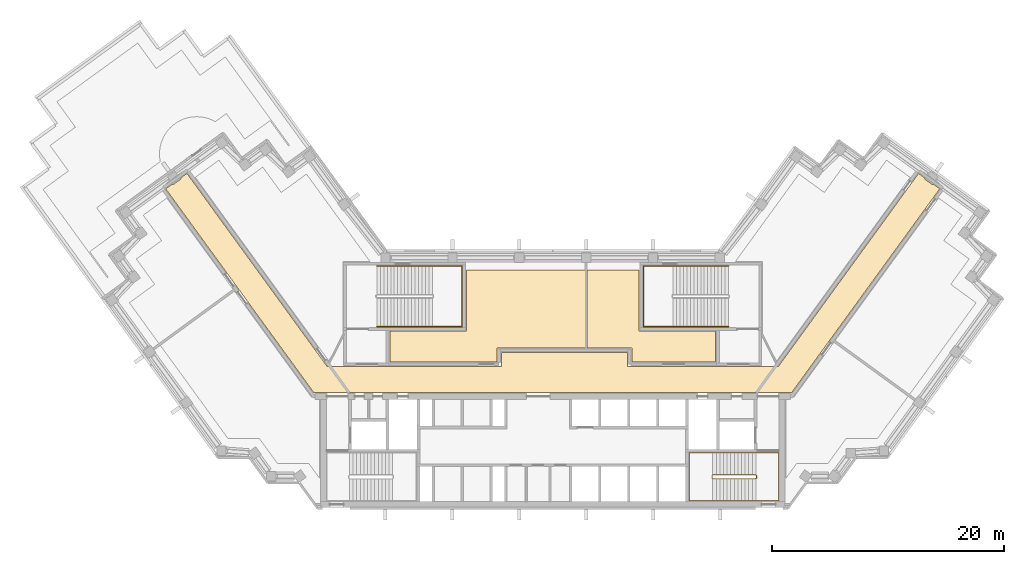
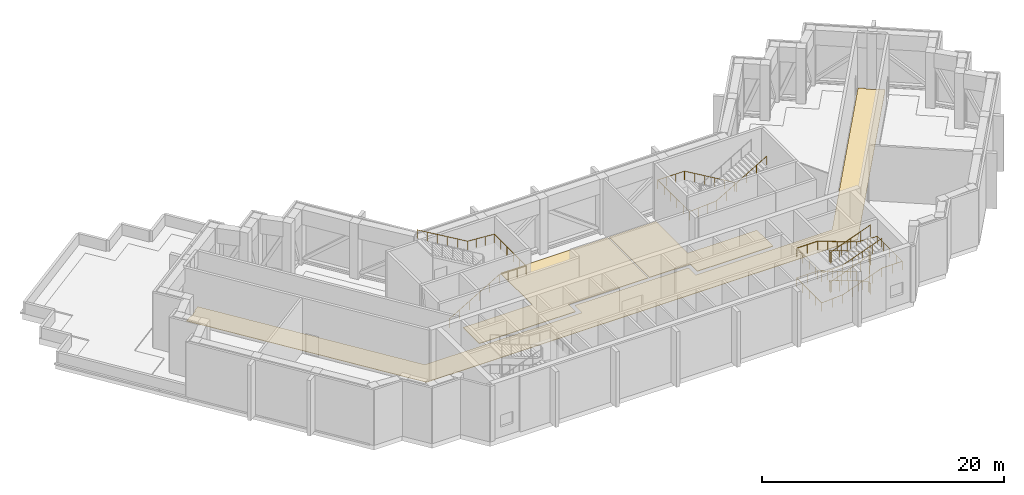
# One storey, part 14 of 15: 4 railings, 3 coverings.
"""IFC4 building model written with IfcOpenShell, lengths in metres."""

from ifc_helpers import new_model, si_unit, direction, frame, origin, origin_2d, place, context, subcontext, project, spatial, polyline, circle, outline, extrude, material, layer, layer_set, type_object, element, save


model = new_model("IFC4")

# Units and contexts
model_context = context("Model", 3, precision=1e-05, world=origin(), true_north=direction((0.0, 1.0)))
body_context = subcontext(model_context, "Body", "Model", "MODEL_VIEW")
ifc_project = project(units=[si_unit("LENGTHUNIT", "METRE"), si_unit("AREAUNIT", "SQUARE_METRE"), si_unit("VOLUMEUNIT", "CUBIC_METRE"), si_unit("PLANEANGLEUNIT", "RADIAN"), si_unit("MASSUNIT", "GRAM", prefix="KILO")], contexts=[model_context])

# Site, building, storey
site_placement = place(None, origin())
site = spatial("IfcSite", under=ifc_project, at=site_placement, CompositionType="ELEMENT")
building_placement = place(site_placement, origin())
building = spatial("IfcBuilding", under=site, at=building_placement, Name="Quipu Civic Tower", CompositionType="ELEMENT")
storey_placement = place(building_placement, frame((0.0, 0.0, 242.0)))
storey = spatial("IfcBuildingStorey", under=building, at=storey_placement, Name="L57", CompositionType="ELEMENT", Elevation=242.0)

# Coverings
ifc_material_1 = material(Name="Sealed cement screed")
ifc_layer_1 = layer(ifc_material_1, 0.050048828125)
ifc_layer_set_1 = layer_set([ifc_layer_1], Name="Sealed cement screed")
covering_type_1 = type_object("IfcCoveringType", Name="Sealed screed floor finish 50", PredefinedType="FLOORING", material=ifc_layer_set_1)
covering_1_placement = place(storey_placement, origin())
element("IfcCovering", 1, at=covering_1_placement, inside=storey, type_object=covering_type_1, Name="Sealed screed floor finish 50", PredefinedType="FLOORING", context=body_context, shape_type="SweptSolid", body=[
    extrude(outline(polyline([(-14.030029296875, 4.179931640625), (-7.430908203125, 4.179931640625), (-7.429931640625, 9.429931640625), (2.80908203125, 9.429931640625), (2.80908203125, 2.719970703125), (-4.818115234375, 2.719970703125), (-4.820068359375, 1.52001953125), (-14.030029296875, 1.52001953125), (-14.030029296875, 4.179931640625)])), origin(), (0.0, 0.0, 1.0), 0.050048828125),
])
covering_2_placement = place(storey_placement, origin())
element("IfcCovering", 2, at=covering_2_placement, inside=storey, type_object=covering_type_1, Name="Sealed screed floor finish 50", PredefinedType="FLOORING", context=body_context, shape_type="SweptSolid", body=[
    extrude(outline(polyline([(2.948974609375, 2.719970703125), (2.948974609375, 9.429931640625), (7.429931640625, 9.429931640625), (7.430908203125, 4.179931640625), (14.030029296875, 4.179931640625), (14.030029296875, 1.52001953125), (6.820068359375, 1.52001953125), (6.819091796875, 2.719970703125), (2.948974609375, 2.719970703125)])), origin(), (0.0, 0.0, 1.0), 0.050048828125),
])

# Railings
ifc_material_2 = material(Name="Stainless steel", Category="steel")
railing_type_1 = type_object("IfcRailingType", Name="Stair guard 1100", PredefinedType="GUARDRAIL", material=ifc_material_2)
railing_1_placement = place(storey_placement, frame((17.5, -8.199951171875, 0.115478515625)))
element("IfcRailing", 3, at=railing_1_placement, inside=storey, type_object=railing_type_1, Name="Stair 2 guard", PredefinedType="GUARDRAIL", context=body_context, shape_type="SweptSolid", body=[
    extrude(circle(Radius=0.02392578125, at=origin_2d()), frame((0.0, 0.0, 1.076171875), z_axis=(-0.937193329374, 0.0, 0.348810354458), x_axis=(0.0, -1.0, 0.0)), (0.0, 0.0, 1.0), 3.96923828125),
    extrude(circle(Radius=0.02392578125, at=origin_2d()), frame((-3.719970703125, 0.0, 2.46044921875), z_axis=(-0.707106781187, -0.707106781187, 0.0), x_axis=(0.707106781187, -0.707106781187, 0.0)), (0.0, 0.0, 1.0), 0.07080078125),
    extrude(circle(Radius=0.02392578125, at=origin_2d()), frame((-3.77001953125, -0.050048828125, 2.46044921875), z_axis=(0.0, -1.0, 0.0), x_axis=(1.0, 0.0, 0.0)), (0.0, 0.0, 1.0), 0.25),
    extrude(circle(Radius=0.02392578125, at=origin_2d()), frame((-3.77001953125, -0.300048828125, 2.46044921875), z_axis=(0.3695169537, -0.3695169537, 0.852592776099), x_axis=(0.707106781187, 0.707106781187, 0.0)), (0.0, 0.0, 1.0), 0.135498046875),
    extrude(circle(Radius=0.02392578125, at=origin_2d()), frame((-3.719970703125, -0.35009765625, 2.576171875), z_axis=(0.937193329374, 0.0, 0.348810354458), x_axis=(0.0, 1.0, 0.0)), (0.0, 0.0, 1.0), 3.96923828125),
    extrude(circle(Radius=0.02392578125, at=origin_2d()), frame((0.0, -0.35009765625, 3.96044921875), z_axis=(0.164529134168, 0.986372223864, 0.0), x_axis=(-0.986372223864, 0.164529134168, 0.0)), (0.0, 0.0, 1.0), 0.30419921875),
    extrude(circle(Radius=0.02392578125, at=origin_2d()), frame((0.050048828125, -0.050048828125, 3.96044921875), z_axis=(0.0, -1.0, 0.0), x_axis=(1.0, 0.0, 0.0)), (0.0, 0.0, 1.0), 0.25),
    extrude(circle(Radius=0.02392578125, at=origin_2d()), frame((0.050048828125, -0.300048828125, 3.96044921875), z_axis=(-0.153818488509, 0.922160596963, 0.354908024706), x_axis=(-0.986372223864, -0.164529134168, 0.0)), (0.0, 0.0, 1.0), 0.325439453125),
    extrude(circle(Radius=0.02392578125, at=origin_2d()), frame((0.0, 0.0, 4.076171875), z_axis=(-0.937193329374, 0.0, 0.348810354458), x_axis=(0.0, -1.0, 0.0)), (0.0, 0.0, 1.0), 3.96923828125),
    extrude(circle(Radius=0.02392578125, at=origin_2d()), frame((-3.719970703125, 0.0, 5.46044921875), z_axis=(-0.707106781187, -0.707106781187, 0.0), x_axis=(0.707106781187, -0.707106781187, 0.0)), (0.0, 0.0, 1.0), 0.07080078125),
    extrude(circle(Radius=0.02392578125, at=origin_2d()), frame((-3.77001953125, -0.050048828125, 5.46044921875), z_axis=(0.0, -1.0, 0.0), x_axis=(1.0, 0.0, 0.0)), (0.0, 0.0, 1.0), 0.25),
    extrude(circle(Radius=0.02392578125, at=origin_2d()), frame((-3.77001953125, -0.300048828125, 5.46044921875), z_axis=(0.3695169537, -0.3695169537, 0.852592776099), x_axis=(0.707106781187, 0.707106781187, 0.0)), (0.0, 0.0, 1.0), 0.135498046875),
    extrude(circle(Radius=0.02392578125, at=origin_2d()), frame((-3.719970703125, -0.35009765625, 5.576171875), z_axis=(0.937193329374, 0.0, 0.348810354458), x_axis=(0.0, 1.0, 0.0)), (0.0, 0.0, 1.0), 3.96923828125),
    extrude(circle(Radius=0.02392578125, at=origin_2d()), frame((0.0, -0.35009765625, 6.96044921875), z_axis=(0.008330771543, 0.049943991347, -0.998717275296), x_axis=(-0.986372223864, 0.164529134168, 0.0)), (0.0, 0.0, 1.0), 6.0078125),
    extrude(circle(Radius=0.02392578125, at=origin_2d()), frame((0.050048828125, -0.050048828125, 0.96044921875), z_axis=(0.0, -1.0, 0.0), x_axis=(1.0, 0.0, 0.0)), (0.0, 0.0, 1.0), 0.25),
    extrude(circle(Radius=0.02099609375, at=origin_2d()), origin(), (0.0, 0.0, 1.0), 1.052001953125),
    extrude(circle(Radius=0.02099609375, at=origin_2d()), frame((-0.929931640625, 0.0, 0.34619140625)), (0.0, 0.0, 1.0), 1.052001953125),
    extrude(circle(Radius=0.02099609375, at=origin_2d()), frame((-1.85986328125, 0.0, 0.6923828125)), (0.0, 0.0, 1.0), 1.052001953125),
    extrude(circle(Radius=0.02099609375, at=origin_2d()), frame((-2.7900390625, 0.0, 1.038330078125)), (0.0, 0.0, 1.0), 1.052001953125),
    extrude(circle(Radius=0.02099609375, at=origin_2d()), frame((-3.719970703125, 0.0, 1.384521484375)), (0.0, 0.0, 1.0), 1.052001953125),
    extrude(circle(Radius=0.02099609375, at=origin_2d()), frame((-3.77001953125, -0.050048828125, 1.384521484375)), (0.0, 0.0, 1.0), 1.052001953125),
    extrude(circle(Radius=0.02099609375, at=origin_2d()), frame((-3.77001953125, -0.300048828125, 1.384521484375)), (0.0, 0.0, 1.0), 1.052001953125),
    extrude(circle(Radius=0.02099609375, at=origin_2d()), frame((-3.719970703125, -0.35009765625, 1.5)), (0.0, 0.0, 1.0), 1.052001953125),
    extrude(circle(Radius=0.02099609375, at=origin_2d()), frame((-2.7900390625, -0.35009765625, 1.84619140625)), (0.0, 0.0, 1.0), 1.052001953125),
    extrude(circle(Radius=0.02099609375, at=origin_2d()), frame((-1.85986328125, -0.35009765625, 2.1923828125)), (0.0, 0.0, 1.0), 1.052001953125),
    extrude(circle(Radius=0.02099609375, at=origin_2d()), frame((-0.929931640625, -0.35009765625, 2.538330078125)), (0.0, 0.0, 1.0), 1.052001953125),
    extrude(circle(Radius=0.02099609375, at=origin_2d()), frame((0.0, -0.35009765625, 2.884521484375)), (0.0, 0.0, 1.0), 1.052001953125),
    extrude(circle(Radius=0.02099609375, at=origin_2d()), frame((0.050048828125, -0.050048828125, 2.884521484375)), (0.0, 0.0, 1.0), 1.052001953125),
    extrude(circle(Radius=0.02099609375, at=origin_2d()), frame((0.050048828125, -0.300048828125, 2.884521484375)), (0.0, 0.0, 1.0), 1.052001953125),
    extrude(circle(Radius=0.02099609375, at=origin_2d()), frame((0.0, 0.0, 3.0)), (0.0, 0.0, 1.0), 1.052001953125),
    extrude(circle(Radius=0.02099609375, at=origin_2d()), frame((-0.929931640625, 0.0, 3.34619140625)), (0.0, 0.0, 1.0), 1.052001953125),
    extrude(circle(Radius=0.02099609375, at=origin_2d()), frame((-1.85986328125, 0.0, 3.6923828125)), (0.0, 0.0, 1.0), 1.052001953125),
    extrude(circle(Radius=0.02099609375, at=origin_2d()), frame((-2.7900390625, 0.0, 4.038330078125)), (0.0, 0.0, 1.0), 1.052001953125),
    extrude(circle(Radius=0.02099609375, at=origin_2d()), frame((-3.719970703125, 0.0, 4.384521484375)), (0.0, 0.0, 1.0), 1.052001953125),
    extrude(circle(Radius=0.02099609375, at=origin_2d()), frame((-3.77001953125, -0.050048828125, 4.384521484375)), (0.0, 0.0, 1.0), 1.052001953125),
    extrude(circle(Radius=0.02099609375, at=origin_2d()), frame((-3.77001953125, -0.300048828125, 4.384521484375)), (0.0, 0.0, 1.0), 1.052001953125),
    extrude(circle(Radius=0.02099609375, at=origin_2d()), frame((-3.719970703125, -0.35009765625, 4.5)), (0.0, 0.0, 1.0), 1.052001953125),
    extrude(circle(Radius=0.02099609375, at=origin_2d()), frame((-2.7900390625, -0.35009765625, 4.84619140625)), (0.0, 0.0, 1.0), 1.052001953125),
    extrude(circle(Radius=0.02099609375, at=origin_2d()), frame((-1.85986328125, -0.35009765625, 5.1923828125)), (0.0, 0.0, 1.0), 1.052001953125),
    extrude(circle(Radius=0.02099609375, at=origin_2d()), frame((-0.929931640625, -0.35009765625, 5.538330078125)), (0.0, 0.0, 1.0), 1.052001953125),
    extrude(circle(Radius=0.02099609375, at=origin_2d()), frame((0.0, -0.35009765625, 5.884521484375)), (0.0, 0.0, 1.0), 1.052001953125),
    extrude(circle(Radius=0.02099609375, at=origin_2d()), frame((0.00830078125, -0.300048828125, 4.884521484375)), (0.0, 0.0, 1.0), 1.052001953125),
    extrude(circle(Radius=0.02099609375, at=origin_2d()), frame((0.0166015625, -0.25, 3.884521484375)), (0.0, 0.0, 1.0), 1.052001953125),
    extrude(circle(Radius=0.02099609375, at=origin_2d()), frame((0.02490234375, -0.2001953125, 2.884521484375)), (0.0, 0.0, 1.0), 1.052001953125),
    extrude(circle(Radius=0.02099609375, at=origin_2d()), frame((0.033447265625, -0.150146484375, 1.884521484375)), (0.0, 0.0, 1.0), 1.052001953125),
    extrude(circle(Radius=0.02099609375, at=origin_2d()), frame((0.041748046875, -0.10009765625, 0.884521484375)), (0.0, 0.0, 1.0), 1.052001953125),
    extrude(circle(Radius=0.02099609375, at=origin_2d()), frame((0.050048828125, -0.050048828125, -0.115478515625)), (0.0, 0.0, 1.0), 1.052001953125),
    extrude(circle(Radius=0.02099609375, at=origin_2d()), frame((0.050048828125, -0.300048828125, -0.115478515625)), (0.0, 0.0, 1.0), 1.052001953125),
])
ifc_material_3 = material(Name="Stainless steel", Category="steel")
railing_type_2 = type_object("IfcRailingType", Name="Stair handrail", PredefinedType="HANDRAIL", material=ifc_material_3)
railing_2_placement = place(storey_placement, frame((17.5, -6.300048828125, 0.115478515625)))
element("IfcRailing", 4, at=railing_2_placement, inside=storey, type_object=railing_type_2, Name="Stair 2 handrail", PredefinedType="HANDRAIL", context=body_context, shape_type="SweptSolid", body=[
    extrude(circle(Radius=0.02392578125, at=origin_2d()), frame((0.0, 0.0, 0.8759765625), z_axis=(-0.937193329374, 0.0, 0.348810354458), x_axis=(0.0, -1.0, 0.0)), (0.0, 0.0, 1.0), 3.96923828125),
    extrude(circle(Radius=0.02392578125, at=origin_2d()), frame((-3.719970703125, 0.0, 2.26025390625), z_axis=(-1.0, 0.0, 0.0), x_axis=(0.0, -1.0, 0.0)), (0.0, 0.0, 1.0), 2.030029296875),
    extrude(circle(Radius=0.02392578125, at=origin_2d()), frame((-5.75, 0.0, 2.26025390625), z_axis=(0.0, -1.0, 0.0), x_axis=(1.0, 0.0, 0.0)), (0.0, 0.0, 1.0), 4.14990234375),
    extrude(circle(Radius=0.02392578125, at=origin_2d()), frame((-5.75, -4.14990234375, 2.26025390625), z_axis=(0.99838595614, 0.0, 0.056793332201), x_axis=(0.0, 1.0, 0.0)), (0.0, 0.0, 1.0), 2.033203125),
    extrude(circle(Radius=0.02392578125, at=origin_2d()), frame((-3.719970703125, -4.14990234375, 2.3759765625), z_axis=(0.937193329374, 0.0, 0.348810354458), x_axis=(0.0, 1.0, 0.0)), (0.0, 0.0, 1.0), 3.96923828125),
    extrude(circle(Radius=0.02392578125, at=origin_2d()), frame((0.0, -4.14990234375, 3.76025390625), z_axis=(1.0, 0.0, 0.0), x_axis=(0.0, 1.0, 0.0)), (0.0, 0.0, 1.0), 1.949951171875),
    extrude(circle(Radius=0.02392578125, at=origin_2d()), frame((1.949951171875, -4.14990234375, 3.76025390625), z_axis=(0.0, 1.0, 0.0), x_axis=(-1.0, 0.0, 0.0)), (0.0, 0.0, 1.0), 4.14990234375),
    extrude(circle(Radius=0.02392578125, at=origin_2d()), frame((1.949951171875, 0.0, 3.76025390625), z_axis=(-0.998251021802, 0.0, 0.059117657858), x_axis=(0.0, -1.0, 0.0)), (0.0, 0.0, 1.0), 1.953369140625),
    extrude(circle(Radius=0.02392578125, at=origin_2d()), frame((0.0, 0.0, 3.8759765625), z_axis=(-0.937193329374, 0.0, 0.348810354458), x_axis=(0.0, -1.0, 0.0)), (0.0, 0.0, 1.0), 3.96923828125),
    extrude(circle(Radius=0.02392578125, at=origin_2d()), frame((-3.719970703125, 0.0, 5.26025390625), z_axis=(-1.0, 0.0, 0.0), x_axis=(0.0, -1.0, 0.0)), (0.0, 0.0, 1.0), 2.030029296875),
    extrude(circle(Radius=0.02392578125, at=origin_2d()), frame((-5.75, 0.0, 5.26025390625), z_axis=(0.0, -1.0, 0.0), x_axis=(1.0, 0.0, 0.0)), (0.0, 0.0, 1.0), 4.14990234375),
    extrude(circle(Radius=0.02392578125, at=origin_2d()), frame((-5.75, -4.14990234375, 5.26025390625), z_axis=(0.99838595614, 0.0, 0.056793332201), x_axis=(0.0, 1.0, 0.0)), (0.0, 0.0, 1.0), 2.033203125),
    extrude(circle(Radius=0.02392578125, at=origin_2d()), frame((-3.719970703125, -4.14990234375, 5.3759765625), z_axis=(0.937193329374, 0.0, 0.348810354458), x_axis=(0.0, 1.0, 0.0)), (0.0, 0.0, 1.0), 3.96923828125),
    extrude(circle(Radius=0.02099609375, at=origin_2d()), origin(), (0.0, 0.0, 1.0), 0.851806640625),
    extrude(circle(Radius=0.02099609375, at=origin_2d()), frame((-0.929931640625, 0.0, 0.34619140625)), (0.0, 0.0, 1.0), 0.851806640625),
    extrude(circle(Radius=0.02099609375, at=origin_2d()), frame((-1.85986328125, 0.0, 0.6923828125)), (0.0, 0.0, 1.0), 0.851806640625),
    extrude(circle(Radius=0.02099609375, at=origin_2d()), frame((-2.7900390625, 0.0, 1.038330078125)), (0.0, 0.0, 1.0), 0.851806640625),
    extrude(circle(Radius=0.02099609375, at=origin_2d()), frame((-3.719970703125, 0.0, 1.384521484375)), (0.0, 0.0, 1.0), 0.851806640625),
    extrude(circle(Radius=0.02099609375, at=origin_2d()), frame((-4.73486328125, 0.0, 1.384521484375)), (0.0, 0.0, 1.0), 0.851806640625),
    extrude(circle(Radius=0.02099609375, at=origin_2d()), frame((-5.75, 0.0, 1.384521484375)), (0.0, 0.0, 1.0), 0.851806640625),
    extrude(circle(Radius=0.02099609375, at=origin_2d()), frame((-5.75, -1.03759765625, 1.384521484375)), (0.0, 0.0, 1.0), 0.851806640625),
    extrude(circle(Radius=0.02099609375, at=origin_2d()), frame((-5.75, -2.074951171875, 1.384521484375)), (0.0, 0.0, 1.0), 0.851806640625),
    extrude(circle(Radius=0.02099609375, at=origin_2d()), frame((-5.75, -3.1123046875, 1.384521484375)), (0.0, 0.0, 1.0), 0.851806640625),
    extrude(circle(Radius=0.02099609375, at=origin_2d()), frame((-5.75, -4.14990234375, 1.384521484375)), (0.0, 0.0, 1.0), 0.851806640625),
    extrude(circle(Radius=0.02099609375, at=origin_2d()), frame((-4.73486328125, -4.14990234375, 1.4423828125)), (0.0, 0.0, 1.0), 0.851806640625),
    extrude(circle(Radius=0.02099609375, at=origin_2d()), frame((-3.719970703125, -4.14990234375, 1.5)), (0.0, 0.0, 1.0), 0.851806640625),
    extrude(circle(Radius=0.02099609375, at=origin_2d()), frame((-2.7900390625, -4.14990234375, 1.84619140625)), (0.0, 0.0, 1.0), 0.851806640625),
    extrude(circle(Radius=0.02099609375, at=origin_2d()), frame((-1.85986328125, -4.14990234375, 2.1923828125)), (0.0, 0.0, 1.0), 0.851806640625),
    extrude(circle(Radius=0.02099609375, at=origin_2d()), frame((-0.929931640625, -4.14990234375, 2.538330078125)), (0.0, 0.0, 1.0), 0.851806640625),
    extrude(circle(Radius=0.02099609375, at=origin_2d()), frame((0.0, -4.14990234375, 2.884521484375)), (0.0, 0.0, 1.0), 0.851806640625),
    extrude(circle(Radius=0.02099609375, at=origin_2d()), frame((0.97509765625, -4.14990234375, 2.884521484375)), (0.0, 0.0, 1.0), 0.851806640625),
    extrude(circle(Radius=0.02099609375, at=origin_2d()), frame((1.949951171875, -4.14990234375, 2.884521484375)), (0.0, 0.0, 1.0), 0.851806640625),
    extrude(circle(Radius=0.02099609375, at=origin_2d()), frame((1.949951171875, -3.1123046875, 2.884521484375)), (0.0, 0.0, 1.0), 0.851806640625),
    extrude(circle(Radius=0.02099609375, at=origin_2d()), frame((1.949951171875, -2.074951171875, 2.884521484375)), (0.0, 0.0, 1.0), 0.851806640625),
    extrude(circle(Radius=0.02099609375, at=origin_2d()), frame((1.949951171875, -1.03759765625, 2.884521484375)), (0.0, 0.0, 1.0), 0.851806640625),
    extrude(circle(Radius=0.02099609375, at=origin_2d()), frame((1.949951171875, 0.0, 2.884521484375)), (0.0, 0.0, 1.0), 0.851806640625),
    extrude(circle(Radius=0.02099609375, at=origin_2d()), frame((0.97509765625, 0.0, 2.9423828125)), (0.0, 0.0, 1.0), 0.851806640625),
    extrude(circle(Radius=0.02099609375, at=origin_2d()), frame((0.0, 0.0, 3.0)), (0.0, 0.0, 1.0), 0.851806640625),
    extrude(circle(Radius=0.02099609375, at=origin_2d()), frame((-0.929931640625, 0.0, 3.34619140625)), (0.0, 0.0, 1.0), 0.851806640625),
    extrude(circle(Radius=0.02099609375, at=origin_2d()), frame((-1.85986328125, 0.0, 3.6923828125)), (0.0, 0.0, 1.0), 0.851806640625),
    extrude(circle(Radius=0.02099609375, at=origin_2d()), frame((-2.7900390625, 0.0, 4.038330078125)), (0.0, 0.0, 1.0), 0.851806640625),
    extrude(circle(Radius=0.02099609375, at=origin_2d()), frame((-3.719970703125, 0.0, 4.384521484375)), (0.0, 0.0, 1.0), 0.851806640625),
    extrude(circle(Radius=0.02099609375, at=origin_2d()), frame((-4.73486328125, 0.0, 4.384521484375)), (0.0, 0.0, 1.0), 0.851806640625),
    extrude(circle(Radius=0.02099609375, at=origin_2d()), frame((-5.75, 0.0, 4.384521484375)), (0.0, 0.0, 1.0), 0.851806640625),
    extrude(circle(Radius=0.02099609375, at=origin_2d()), frame((-5.75, -1.03759765625, 4.384521484375)), (0.0, 0.0, 1.0), 0.851806640625),
    extrude(circle(Radius=0.02099609375, at=origin_2d()), frame((-5.75, -2.074951171875, 4.384521484375)), (0.0, 0.0, 1.0), 0.851806640625),
    extrude(circle(Radius=0.02099609375, at=origin_2d()), frame((-5.75, -3.1123046875, 4.384521484375)), (0.0, 0.0, 1.0), 0.851806640625),
    extrude(circle(Radius=0.02099609375, at=origin_2d()), frame((-5.75, -4.14990234375, 4.384521484375)), (0.0, 0.0, 1.0), 0.851806640625),
    extrude(circle(Radius=0.02099609375, at=origin_2d()), frame((-4.73486328125, -4.14990234375, 4.4423828125)), (0.0, 0.0, 1.0), 0.851806640625),
    extrude(circle(Radius=0.02099609375, at=origin_2d()), frame((-3.719970703125, -4.14990234375, 4.5)), (0.0, 0.0, 1.0), 0.851806640625),
    extrude(circle(Radius=0.02099609375, at=origin_2d()), frame((-2.7900390625, -4.14990234375, 4.84619140625)), (0.0, 0.0, 1.0), 0.851806640625),
    extrude(circle(Radius=0.02099609375, at=origin_2d()), frame((-1.85986328125, -4.14990234375, 5.1923828125)), (0.0, 0.0, 1.0), 0.851806640625),
    extrude(circle(Radius=0.02099609375, at=origin_2d()), frame((-0.929931640625, -4.14990234375, 5.538330078125)), (0.0, 0.0, 1.0), 0.851806640625),
    extrude(circle(Radius=0.02099609375, at=origin_2d()), frame((0.0, -4.14990234375, 5.884521484375)), (0.0, 0.0, 1.0), 0.851806640625),
])
railing_3_placement = place(storey_placement, frame((-15.14990234375, 4.550048828125, 0.176513671875)))
element("IfcRailing", 5, at=railing_3_placement, inside=storey, type_object=railing_type_2, Name="Stair 3 handrail", PredefinedType="HANDRAIL", context=body_context, shape_type="SweptSolid", body=[
    extrude(circle(Radius=0.02392578125, at=origin_2d()), frame((0.0, 0.0, 0.8759765625), z_axis=(0.86192857992, 0.0, 0.507029706346), x_axis=(0.0, 1.0, 0.0)), (0.0, 0.0, 1.0), 5.568603515625),
    extrude(circle(Radius=0.02392578125, at=origin_2d()), frame((4.7998046875, 0.0, 3.69921875), z_axis=(1.0, 0.0, 0.0), x_axis=(0.0, 1.0, 0.0)), (0.0, 0.0, 1.0), 2.550048828125),
    extrude(circle(Radius=0.02392578125, at=origin_2d()), frame((7.349853515625, 0.0, 3.69921875), z_axis=(0.0, 1.0, 0.0), x_axis=(-1.0, 0.0, 0.0)), (0.0, 0.0, 1.0), 5.25),
    extrude(circle(Radius=0.02392578125, at=origin_2d()), frame((7.349853515625, 5.25, 3.69921875), z_axis=(-0.997612889748, 0.0, 0.069054487246), x_axis=(0.0, -1.0, 0.0)), (0.0, 0.0, 1.0), 2.55615234375),
    extrude(circle(Radius=0.02392578125, at=origin_2d()), frame((4.7998046875, 5.25, 3.8759765625), z_axis=(-0.86192857992, 0.0, 0.507029706346), x_axis=(0.0, -1.0, 0.0)), (0.0, 0.0, 1.0), 5.568603515625),
    extrude(circle(Radius=0.02099609375, at=origin_2d()), origin(), (0.0, 0.0, 1.0), 0.851806640625),
    extrude(circle(Radius=0.02099609375, at=origin_2d()), frame((0.9599609375, 0.0, 0.564697265625)), (0.0, 0.0, 1.0), 0.851806640625),
    extrude(circle(Radius=0.02099609375, at=origin_2d()), frame((1.919921875, 0.0, 1.12939453125)), (0.0, 0.0, 1.0), 0.851806640625),
    extrude(circle(Radius=0.02099609375, at=origin_2d()), frame((2.8798828125, 0.0, 1.694091796875)), (0.0, 0.0, 1.0), 0.851806640625),
    extrude(circle(Radius=0.02099609375, at=origin_2d()), frame((3.83984375, 0.0, 2.2587890625)), (0.0, 0.0, 1.0), 0.851806640625),
    extrude(circle(Radius=0.02099609375, at=origin_2d()), frame((4.7998046875, 0.0, 2.823486328125)), (0.0, 0.0, 1.0), 0.851806640625),
    extrude(circle(Radius=0.02099609375, at=origin_2d()), frame((5.64990234375, 0.0, 2.823486328125)), (0.0, 0.0, 1.0), 0.851806640625),
    extrude(circle(Radius=0.02099609375, at=origin_2d()), frame((6.499755859375, 0.0, 2.823486328125)), (0.0, 0.0, 1.0), 0.851806640625),
    extrude(circle(Radius=0.02099609375, at=origin_2d()), frame((7.349853515625, 0.0, 2.823486328125)), (0.0, 0.0, 1.0), 0.851806640625),
    extrude(circle(Radius=0.02099609375, at=origin_2d()), frame((7.349853515625, 1.050048828125, 2.823486328125)), (0.0, 0.0, 1.0), 0.851806640625),
    extrude(circle(Radius=0.02099609375, at=origin_2d()), frame((7.349853515625, 2.10009765625, 2.823486328125)), (0.0, 0.0, 1.0), 0.851806640625),
    extrude(circle(Radius=0.02099609375, at=origin_2d()), frame((7.349853515625, 3.14990234375, 2.823486328125)), (0.0, 0.0, 1.0), 0.851806640625),
    extrude(circle(Radius=0.02099609375, at=origin_2d()), frame((7.349853515625, 4.199951171875, 2.823486328125)), (0.0, 0.0, 1.0), 0.851806640625),
    extrude(circle(Radius=0.02099609375, at=origin_2d()), frame((7.349853515625, 5.25, 2.823486328125)), (0.0, 0.0, 1.0), 0.851806640625),
    extrude(circle(Radius=0.02099609375, at=origin_2d()), frame((6.499755859375, 5.25, 2.88232421875)), (0.0, 0.0, 1.0), 0.851806640625),
    extrude(circle(Radius=0.02099609375, at=origin_2d()), frame((5.64990234375, 5.25, 2.941162109375)), (0.0, 0.0, 1.0), 0.851806640625),
    extrude(circle(Radius=0.02099609375, at=origin_2d()), frame((4.7998046875, 5.25, 3.0)), (0.0, 0.0, 1.0), 0.851806640625),
    extrude(circle(Radius=0.02099609375, at=origin_2d()), frame((3.83984375, 5.25, 3.564697265625)), (0.0, 0.0, 1.0), 0.851806640625),
    extrude(circle(Radius=0.02099609375, at=origin_2d()), frame((2.8798828125, 5.25, 4.12939453125)), (0.0, 0.0, 1.0), 0.851806640625),
    extrude(circle(Radius=0.02099609375, at=origin_2d()), frame((1.919921875, 5.25, 4.694091796875)), (0.0, 0.0, 1.0), 0.851806640625),
    extrude(circle(Radius=0.02099609375, at=origin_2d()), frame((0.9599609375, 5.25, 5.2587890625)), (0.0, 0.0, 1.0), 0.851806640625),
    extrude(circle(Radius=0.02099609375, at=origin_2d()), frame((0.0, 5.25, 5.823486328125)), (0.0, 0.0, 1.0), 0.851806640625),
])
railing_4_placement = place(storey_placement, frame((15.14990234375, 9.800048828125, 0.176513671875)))
element("IfcRailing", 6, at=railing_4_placement, inside=storey, type_object=railing_type_2, Name="Stair 4 handrail", PredefinedType="HANDRAIL", context=body_context, shape_type="SweptSolid", body=[
    extrude(circle(Radius=0.02392578125, at=origin_2d()), frame((0.0, 0.0, 0.8759765625), z_axis=(-0.86192857992, 0.0, 0.507029706346), x_axis=(0.0, -1.0, 0.0)), (0.0, 0.0, 1.0), 5.568603515625),
    extrude(circle(Radius=0.02392578125, at=origin_2d()), frame((-4.7998046875, 0.0, 3.69921875), z_axis=(-1.0, 0.0, 0.0), x_axis=(0.0, -1.0, 0.0)), (0.0, 0.0, 1.0), 2.550048828125),
    extrude(circle(Radius=0.02392578125, at=origin_2d()), frame((-7.349853515625, 0.0, 3.69921875), z_axis=(0.0, -1.0, 0.0), x_axis=(1.0, 0.0, 0.0)), (0.0, 0.0, 1.0), 5.25),
    extrude(circle(Radius=0.02392578125, at=origin_2d()), frame((-7.349853515625, -5.25, 3.69921875), z_axis=(0.997612889748, 0.0, 0.069054487246), x_axis=(0.0, 1.0, 0.0)), (0.0, 0.0, 1.0), 2.55615234375),
    extrude(circle(Radius=0.02392578125, at=origin_2d()), frame((-4.7998046875, -5.25, 3.8759765625), z_axis=(0.86192857992, 0.0, 0.507029706346), x_axis=(0.0, 1.0, 0.0)), (0.0, 0.0, 1.0), 5.568603515625),
    extrude(circle(Radius=0.02099609375, at=origin_2d()), origin(), (0.0, 0.0, 1.0), 0.851806640625),
    extrude(circle(Radius=0.02099609375, at=origin_2d()), frame((-0.9599609375, 0.0, 0.564697265625)), (0.0, 0.0, 1.0), 0.851806640625),
    extrude(circle(Radius=0.02099609375, at=origin_2d()), frame((-1.919921875, 0.0, 1.12939453125)), (0.0, 0.0, 1.0), 0.851806640625),
    extrude(circle(Radius=0.02099609375, at=origin_2d()), frame((-2.8798828125, 0.0, 1.694091796875)), (0.0, 0.0, 1.0), 0.851806640625),
    extrude(circle(Radius=0.02099609375, at=origin_2d()), frame((-3.83984375, 0.0, 2.2587890625)), (0.0, 0.0, 1.0), 0.851806640625),
    extrude(circle(Radius=0.02099609375, at=origin_2d()), frame((-4.7998046875, 0.0, 2.823486328125)), (0.0, 0.0, 1.0), 0.851806640625),
    extrude(circle(Radius=0.02099609375, at=origin_2d()), frame((-5.64990234375, 0.0, 2.823486328125)), (0.0, 0.0, 1.0), 0.851806640625),
    extrude(circle(Radius=0.02099609375, at=origin_2d()), frame((-6.499755859375, 0.0, 2.823486328125)), (0.0, 0.0, 1.0), 0.851806640625),
    extrude(circle(Radius=0.02099609375, at=origin_2d()), frame((-7.349853515625, 0.0, 2.823486328125)), (0.0, 0.0, 1.0), 0.851806640625),
    extrude(circle(Radius=0.02099609375, at=origin_2d()), frame((-7.349853515625, -1.050048828125, 2.823486328125)), (0.0, 0.0, 1.0), 0.851806640625),
    extrude(circle(Radius=0.02099609375, at=origin_2d()), frame((-7.349853515625, -2.10009765625, 2.823486328125)), (0.0, 0.0, 1.0), 0.851806640625),
    extrude(circle(Radius=0.02099609375, at=origin_2d()), frame((-7.349853515625, -3.14990234375, 2.823486328125)), (0.0, 0.0, 1.0), 0.851806640625),
    extrude(circle(Radius=0.02099609375, at=origin_2d()), frame((-7.349853515625, -4.199951171875, 2.823486328125)), (0.0, 0.0, 1.0), 0.851806640625),
    extrude(circle(Radius=0.02099609375, at=origin_2d()), frame((-7.349853515625, -5.25, 2.823486328125)), (0.0, 0.0, 1.0), 0.851806640625),
    extrude(circle(Radius=0.02099609375, at=origin_2d()), frame((-6.499755859375, -5.25, 2.88232421875)), (0.0, 0.0, 1.0), 0.851806640625),
    extrude(circle(Radius=0.02099609375, at=origin_2d()), frame((-5.64990234375, -5.25, 2.941162109375)), (0.0, 0.0, 1.0), 0.851806640625),
    extrude(circle(Radius=0.02099609375, at=origin_2d()), frame((-4.7998046875, -5.25, 3.0)), (0.0, 0.0, 1.0), 0.851806640625),
    extrude(circle(Radius=0.02099609375, at=origin_2d()), frame((-3.83984375, -5.25, 3.564697265625)), (0.0, 0.0, 1.0), 0.851806640625),
    extrude(circle(Radius=0.02099609375, at=origin_2d()), frame((-2.8798828125, -5.25, 4.12939453125)), (0.0, 0.0, 1.0), 0.851806640625),
    extrude(circle(Radius=0.02099609375, at=origin_2d()), frame((-1.919921875, -5.25, 4.694091796875)), (0.0, 0.0, 1.0), 0.851806640625),
    extrude(circle(Radius=0.02099609375, at=origin_2d()), frame((-0.9599609375, -5.25, 5.2587890625)), (0.0, 0.0, 1.0), 0.851806640625),
    extrude(circle(Radius=0.02099609375, at=origin_2d()), frame((0.0, -5.25, 5.823486328125)), (0.0, 0.0, 1.0), 0.851806640625),
])

# Covering
ifc_material_4 = material(Name="Terrazzo floor finish")
ifc_layer_2 = layer(ifc_material_4, 0.0400390625)
ifc_layer_set_2 = layer_set([ifc_layer_2], Name="Terrazzo floor finish")
covering_type_2 = type_object("IfcCoveringType", Name="Terrazzo floor finish 40", PredefinedType="FLOORING", material=ifc_layer_set_2)
covering_3_placement = place(storey_placement, origin())
element("IfcCovering", 7, at=covering_3_placement, inside=storey, type_object=covering_type_2, Name="Terrazzo floor finish 40", PredefinedType="FLOORING", context=body_context, shape_type="SweptSolid", body=[
    extrude(outline(polyline([(6.429931640625, 2.330078125), (6.429931640625, 1.1298828125), (19.425048828125, 1.1298828125), (31.5048828125, 17.759033203125), (32.055908203125, 17.35888671875), (32.0380859375, 17.333984375), (32.034912109375, 17.330078125), (32.032958984375, 17.324951171875), (32.031005859375, 17.321044921875), (32.030029296875, 17.31591796875), (32.029052734375, 17.31103515625), (32.028076171875, 17.305908203125), (32.028076171875, 17.302001953125), (32.029052734375, 17.297119140625), (32.030029296875, 17.2919921875), (32.031005859375, 17.287109375), (32.032958984375, 17.282958984375), (32.035888671875, 17.278076171875), (32.0380859375, 17.27392578125), (32.041015625, 17.27099609375), (32.044921875, 17.26708984375), (32.049072265625, 17.263916015625), (32.696044921875, 16.7939453125), (32.699951171875, 16.791015625), (32.7041015625, 16.7890625), (32.708984375, 16.787109375), (32.714111328125, 16.785888671875), (32.718994140625, 16.784912109375), (32.722900390625, 16.783935546875), (32.72802734375, 16.783935546875), (32.73291015625, 16.784912109375), (32.738037109375, 16.785888671875), (32.742919921875, 16.787109375), (32.7470703125, 16.7890625), (32.751953125, 16.7919921875), (32.756103515625, 16.7939453125), (32.759033203125, 16.798095703125), (32.762939453125, 16.801025390625), (32.76611328125, 16.804931640625), (32.783935546875, 16.830078125), (33.333984375, 16.430908203125), (20.574951171875, -1.1298828125), (-20.574951171875, -1.1298828125), (-33.333984375, 16.430908203125), (-32.783935546875, 16.830078125), (-32.76611328125, 16.804931640625), (-32.762939453125, 16.801025390625), (-32.759033203125, 16.798095703125), (-32.756103515625, 16.7939453125), (-32.751953125, 16.7919921875), (-32.7470703125, 16.7890625), (-32.742919921875, 16.787109375), (-32.738037109375, 16.785888671875), (-32.73291015625, 16.784912109375), (-32.72802734375, 16.783935546875), (-32.722900390625, 16.783935546875), (-32.718994140625, 16.784912109375), (-32.714111328125, 16.785888671875), (-32.708984375, 16.787109375), (-32.7041015625, 16.7890625), (-32.699951171875, 16.791015625), (-32.696044921875, 16.7939453125), (-32.049072265625, 17.263916015625), (-32.044921875, 17.26708984375), (-32.041015625, 17.27099609375), (-32.0380859375, 17.27392578125), (-32.035888671875, 17.278076171875), (-32.032958984375, 17.282958984375), (-32.031005859375, 17.287109375), (-32.030029296875, 17.2919921875), (-32.029052734375, 17.297119140625), (-32.028076171875, 17.302001953125), (-32.028076171875, 17.305908203125), (-32.029052734375, 17.31103515625), (-32.030029296875, 17.31591796875), (-32.031005859375, 17.321044921875), (-32.032958984375, 17.324951171875), (-32.034912109375, 17.330078125), (-32.0380859375, 17.333984375), (-32.055908203125, 17.35888671875), (-31.5048828125, 17.759033203125), (-19.425048828125, 1.1298828125), (-4.429931640625, 1.1298828125), (-4.429931640625, 2.330078125), (6.429931640625, 2.330078125)])), origin(), (0.0, 0.0, 1.0), 0.0400390625),
])

save(model, "model.ifc")
